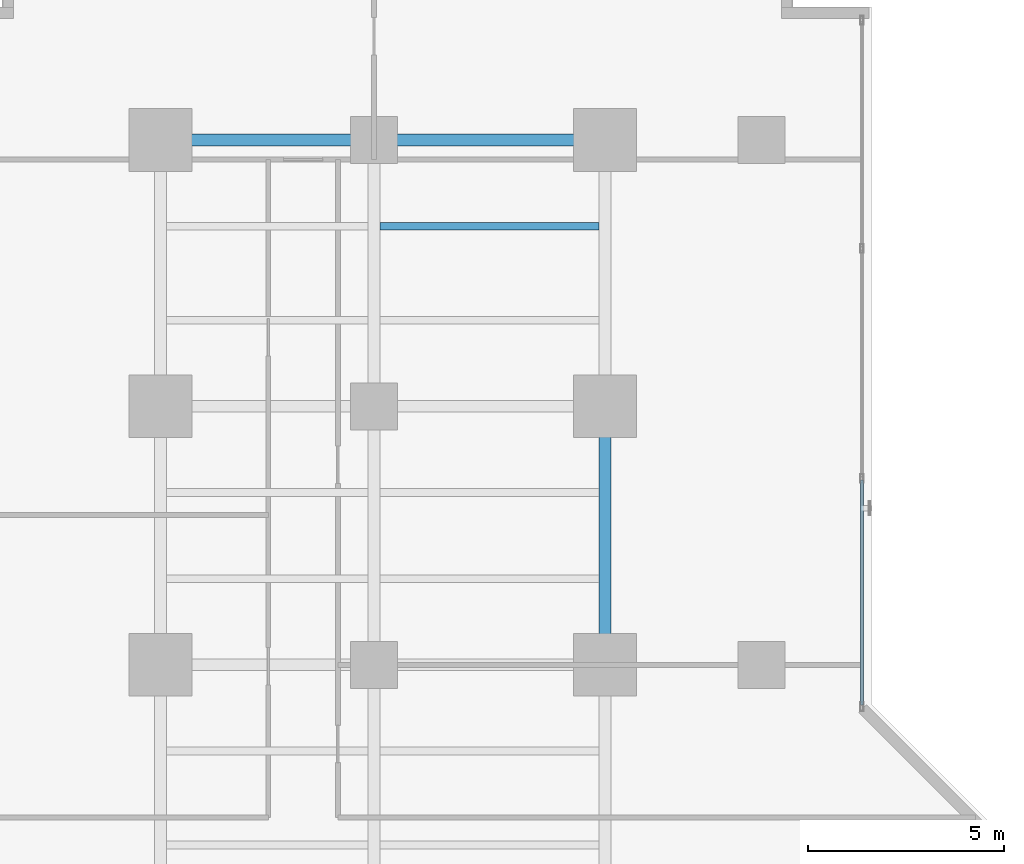
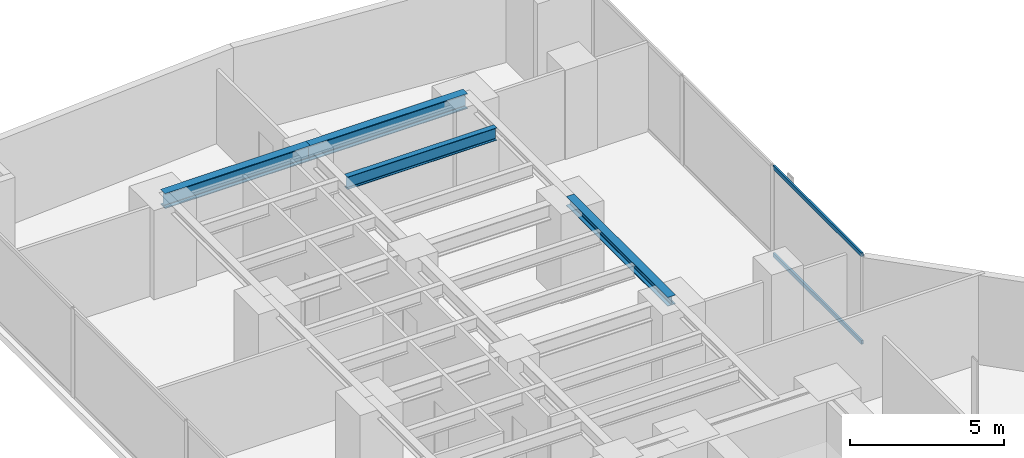
# One storey, part 18 of 27: 4 beams, 2 members, 1 element without a shape of its own.
"""IFC4 building model written with IfcOpenShell, lengths in metres."""

from ifc_helpers import new_model, si_unit, direction, frame, origin, origin_with_axes, origin_2d, place, context, subcontext, project, spatial, hollow_rectangle, i_section, extrude, source, transform, mapped, material, layer, layer_set, material_profile, profile_set, type_object, element, aggregate, save


model = new_model("IFC4")

# Units and contexts
model_context = context("Model", 3, precision=1e-05, world=origin(), true_north=direction((0.0, 1.0)))
body_context = subcontext(model_context, "Body", "Model", "MODEL_VIEW")
ifc_project = project(units=[si_unit("LENGTHUNIT", "METRE"), si_unit("AREAUNIT", "SQUARE_METRE"), si_unit("VOLUMEUNIT", "CUBIC_METRE"), si_unit("PLANEANGLEUNIT", "RADIAN"), si_unit("MASSUNIT", "GRAM", prefix="KILO")], contexts=[model_context])

# Site, building, storey
site_placement = place(None, origin())
site = spatial("IfcSite", under=ifc_project, at=site_placement, CompositionType="ELEMENT")
building_placement = place(site_placement, origin())
building = spatial("IfcBuilding", under=site, at=building_placement, Name="Kolvaren Waterfront Exchange", CompositionType="ELEMENT")
storey_placement = place(building_placement, frame((0.0, 0.0, 33.39990234375)))
storey = spatial("IfcBuildingStorey", under=building, at=storey_placement, Name="L08", CompositionType="ELEMENT", Elevation=33.39990234375)

# Beams
ifc_material_1 = material(Name="Steel S355", Category="steel")
ifc_material_profile_1 = material_profile(ifc_material_1, i_section(OverallWidth=0.300048828125, OverallDepth=0.360107421875, WebThickness=0.012451171875, FlangeThickness=0.0224609375, FilletRadius=0.027099609375, at=origin_2d()), Name="HEB360")
ifc_profile_set_1 = profile_set([ifc_material_profile_1], Name="Steel S355")
beam_type_1 = type_object("IfcBeamType", Name="STR-BM-HEB360", PredefinedType="SPANDREL", material=ifc_profile_set_1)
beam_1_placement = place(storey_placement, frame((18.800048828125, 31.199951171875, 3.360107421875), z_axis=(0.0, 1.0, 0.0), x_axis=(-1.0, 0.0, 0.0)))
element("IfcBeam", 1, at=beam_1_placement, inside=storey, type_object=beam_type_1, Name="L08 north-arm edge beam 2", PredefinedType="SPANDREL", context=body_context, shape_type="SweptSolid", body=[
    extrude(i_section(OverallWidth=0.300048828125, OverallDepth=0.360107421875, WebThickness=0.012451171875, FlangeThickness=0.0224609375, FilletRadius=0.027099609375, at=origin_2d()), origin(), (0.0, 0.0, 1.0), 6.60009765625),
])
ifc_material_profile_2 = material_profile(ifc_material_1, i_section(OverallWidth=0.300048828125, OverallDepth=0.60009765625, WebThickness=0.015380859375, FlangeThickness=0.030029296875, FilletRadius=0.027099609375, at=origin_2d()), Name="HEB600")
ifc_profile_set_2 = profile_set([ifc_material_profile_2], Name="Steel S355")
beam_type_2 = type_object("IfcBeamType", Name="STR-BM-HEB600", PredefinedType="BEAM", material=ifc_profile_set_2)
beam_2_placement = place(storey_placement, frame((7.449951171875, 44.60009765625, 3.239990234375), z_axis=(1.0, 0.0, 0.0), x_axis=(0.0, 1.0, 0.0)))
element("IfcBeam", 2, at=beam_2_placement, inside=storey, type_object=beam_type_2, Name="L08 north-arm girder 4A", PredefinedType="BEAM", context=body_context, shape_type="SweptSolid", body=[
    extrude(i_section(OverallWidth=0.300048828125, OverallDepth=0.60009765625, WebThickness=0.015380859375, FlangeThickness=0.030029296875, FilletRadius=0.027099609375, at=origin_2d()), origin(), (0.0, 0.0, 1.0), 5.449951171875),
])
beam_3_placement = place(storey_placement, frame((12.89990234375, 44.60009765625, 3.239990234375), z_axis=(1.0, 0.0, 0.0), x_axis=(0.0, 1.0, 0.0)))
element("IfcBeam", 3, at=beam_3_placement, inside=storey, type_object=beam_type_2, Name="L08 north-arm girder 4B", PredefinedType="BEAM", context=body_context, shape_type="SweptSolid", body=[
    extrude(i_section(OverallWidth=0.300048828125, OverallDepth=0.60009765625, WebThickness=0.015380859375, FlangeThickness=0.030029296875, FilletRadius=0.027099609375, at=origin_2d()), origin(), (0.0, 0.0, 1.0), 5.900146484375),
])
ifc_material_profile_3 = material_profile(ifc_material_1, i_section(OverallWidth=0.199951171875, OverallDepth=0.5, WebThickness=0.01025390625, FlangeThickness=0.01611328125, FilletRadius=0.02099609375, at=origin_2d()), Name="IPE500")
ifc_profile_set_3 = profile_set([ifc_material_profile_3], Name="Steel S355")
beam_type_3 = type_object("IfcBeamType", Name="STR-BM-IPE500", PredefinedType="JOIST", material=ifc_profile_set_3)
beam_4_placement = place(storey_placement, frame((13.052001953125, 42.39990234375, 3.2900390625), z_axis=(1.0, 0.0, 0.0), x_axis=(0.0, 1.0, 0.0)))
element("IfcBeam", 4, at=beam_4_placement, inside=storey, type_object=beam_type_3, Name="L08 north-arm composite joist 6B", PredefinedType="JOIST", context=body_context, shape_type="SweptSolid", body=[
    extrude(i_section(OverallWidth=0.199951171875, OverallDepth=0.5, WebThickness=0.01025390625, FlangeThickness=0.01611328125, FilletRadius=0.02099609375, at=origin_2d()), origin(), (0.0, 0.0, 1.0), 5.595947265625),
])

# Curtain wall, members
ifc_material_2 = material(Name="Anodised bronze aluminium 6063-T6", Category="aluminium")
ifc_layer = layer(ifc_material_2, 0.219970703125, Name="Anodised bronze aluminium 6063-T6")
ifc_layer_set = layer_set([ifc_layer], Name="Anodised bronze aluminium 6063-T6")
curtain_wall_type = type_object("IfcCurtainWallType", Name="ARC-CW-SYS1", PredefinedType="USERDEFINED", material=ifc_layer_set)
curtain_wall_placement = place(storey_placement, origin())
curtain_wall = element("IfcCurtainWall", 5, at=curtain_wall_placement, inside=storey, type_object=curtain_wall_type, Name="L08 stick curtain wall CW1 (CW-L08-NE)", ObjectType="STICK CURTAIN WALL", PredefinedType="USERDEFINED")
ifc_material_3 = material(Name="Anodised aluminium 6063-T6", Category="aluminium")
ifc_material_profile_4 = material_profile(ifc_material_3, hollow_rectangle(XDim=0.074951171875, YDim=0.159912109375, WallThickness=0.00439453125, at=origin_2d()), Name="ALU-TRN-160x75x4.5")
ifc_profile_set_4 = profile_set([ifc_material_profile_4], Name="Anodised aluminium 6063-T6")
member_type = type_object("IfcMemberType", Name="ARC-CWT-160", PredefinedType="USERDEFINED", material=ifc_profile_set_4)
shared_shape = source(origin_with_axes(), body_context, "Body", "SweptSolid", [
    extrude(hollow_rectangle(XDim=0.074951171875, YDim=0.159912109375, WallThickness=0.00439453125, at=origin_2d()), origin(), (0.0, 0.0, 1.0), 5.75),
])
member_1_placement = place(storey_placement, frame((25.360107421875, 30.169921875, 0.03759765625), z_axis=(0.0, 1.0, 0.0), x_axis=(-1.0, 0.0, 0.0)))
member_1 = element("IfcMember", 6, at=member_1_placement, type_object=member_type, Name="CW1 transom 1.1", ObjectType="TRANSOM", PredefinedType="USERDEFINED", context=body_context, shape_type="MappedRepresentation", body=[
    mapped(shared_shape, transform((0.0, 0.0, 0.0), x_axis=(1.0, 0.0, 0.0), y_axis=(0.0, 1.0, 0.0), z_axis=(0.0, 0.0, 1.0), scale=1.0)),
])
member_2_placement = place(storey_placement, frame((25.360107421875, 30.169921875, 3.502685546875), z_axis=(0.0, 1.0, 0.0), x_axis=(-1.0, 0.0, 0.0)))
member_2 = element("IfcMember", 7, at=member_2_placement, type_object=member_type, Name="CW1 transom 1.2", ObjectType="TRANSOM", PredefinedType="USERDEFINED", context=body_context, shape_type="MappedRepresentation", body=[
    mapped(shared_shape, transform((0.0, 0.0, 0.0), x_axis=(1.0, 0.0, 0.0), y_axis=(0.0, 1.0, 0.0), z_axis=(0.0, 0.0, 1.0), scale=1.0)),
])
aggregate(curtain_wall, [member_1, member_2])

save(model, "model.ifc")
